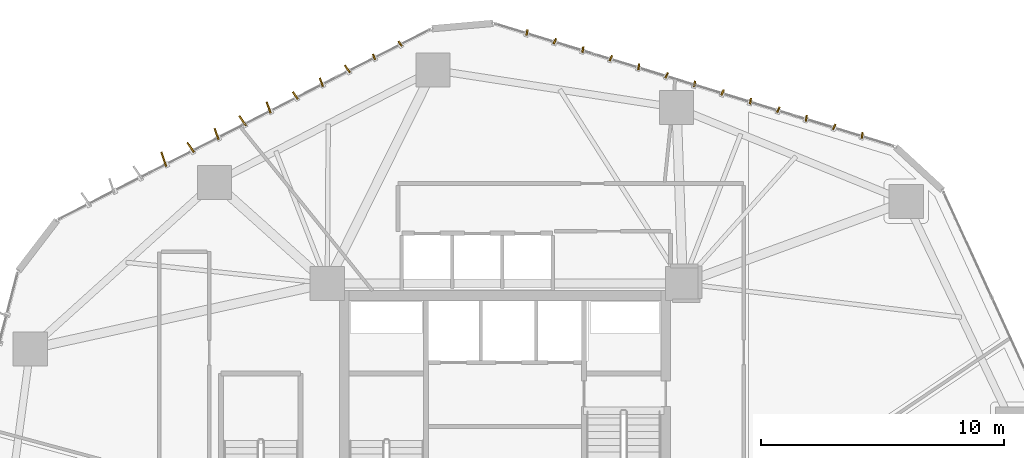
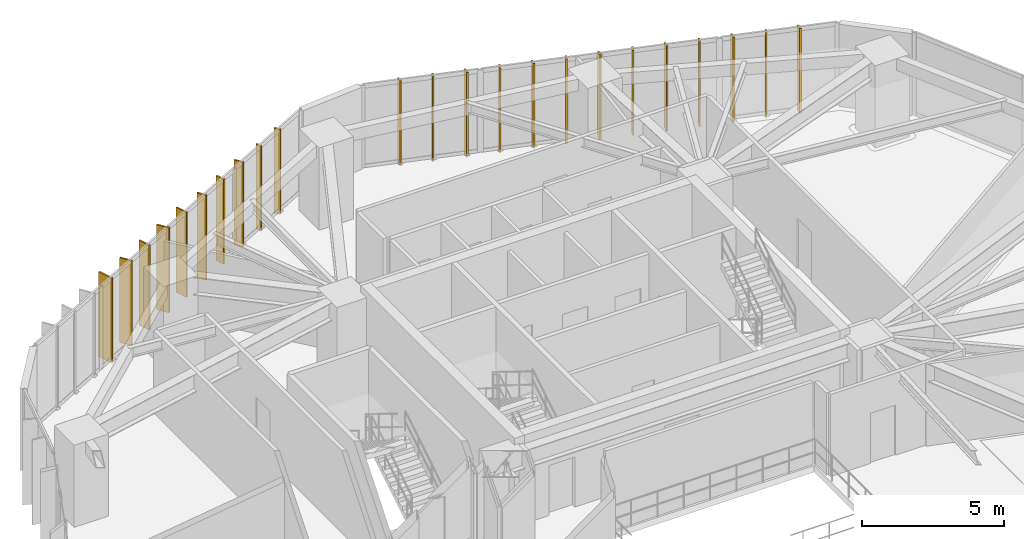
# One storey, part 24 of 24: 23 shading devices.
"""IFC4 building model written with IfcOpenShell, lengths in metres."""

from ifc_helpers import new_model, si_unit, direction, frame, origin, origin_2d, place, context, subcontext, project, spatial, rectangle, extrude, source, transform, mapped, material, layer, layer_set, type_object, type_shapes, element, save


model = new_model("IFC4")

# Units and contexts
model_context = context("Model", 3, precision=1e-05, world=origin(), true_north=direction((0.0, 1.0)))
body_context = subcontext(model_context, "Body", "Model", "MODEL_VIEW")
ifc_project = project(units=[si_unit("LENGTHUNIT", "METRE"), si_unit("AREAUNIT", "SQUARE_METRE"), si_unit("VOLUMEUNIT", "CUBIC_METRE"), si_unit("PLANEANGLEUNIT", "RADIAN"), si_unit("MASSUNIT", "GRAM", prefix="KILO")], contexts=[model_context])

# Site, building, storey
site_placement = place(None, origin())
site = spatial("IfcSite", under=ifc_project, at=site_placement, CompositionType="ELEMENT")
building_placement = place(site_placement, origin())
building = spatial("IfcBuilding", under=site, at=building_placement, Name="Talar Marvaseh", CompositionType="ELEMENT")
storey_placement = place(building_placement, frame((0.0, 0.0, 39.199951171875)))
storey = spatial("IfcBuildingStorey", under=building, at=storey_placement, Name="L09", CompositionType="ELEMENT", Elevation=39.199951171875)

# Shading devices
ifc_material = material(Name="Anodised Champagne Bronze Aluminium", Category="aluminium")
ifc_layer_1 = layer(ifc_material, 0.06494140625)
ifc_layer_set_1 = layer_set([ifc_layer_1], Name="Anodised Champagne Bronze Aluminium")
shading_device_type_1 = type_object("IfcShadingDeviceType", Name="Sawtooth Champagne Bronze Vertical Fin 240", PredefinedType="USERDEFINED", material=ifc_layer_set_1)
shared_shape_1 = source(origin(), body_context, "Body", "SweptSolid", [
    extrude(rectangle(XDim=0.239990234375, YDim=0.06494140625, at=origin_2d()), origin(), (0.0, 0.0, 1.0), 3.639892578125),
])
type_shapes(shading_device_type_1, [shared_shape_1])
for number, where, z_axis, x_axis, name in (
    (1, (20.620361328125, 46.203857421875, -0.1201171875), (0.0, 0.0, 1.0), (-0.326723080054, 0.945120113509, 0.0), "L09 Sawtooth Vertical Solar Fin"),
    (2, (21.68896484375, 46.75, -0.1201171875), (0.0, 0.0, 1.0), (-0.574576791052, 0.818450677307, 0.0), "L09 Sawtooth Vertical Solar Fin"),
    (3, (26.90283203125, 47.2060546875, -0.1201171875), (0.0, 0.0, 1.0), (0.157641036938, 0.987496482765, 0.0), "L09 Sawtooth Vertical Solar Fin"),
    (4, (28.050048828125, 46.85400390625, -0.1201171875), (0.0, 0.0, 1.0), (0.423725209904, 0.905790785166, 0.0), "L09 Sawtooth Vertical Solar Fin"),
    (5, (29.197265625, 46.501708984375, -0.1201171875), (0.0, 0.0, 1.0), (0.157641036938, 0.987496482765, 0.0), "L09 Sawtooth Vertical Solar Fin"),
    (6, (30.34423828125, 46.1494140625, -0.1201171875), (0.0, 0.0, 1.0), (0.423725209904, 0.905790785166, 0.0), "L09 Sawtooth Vertical Solar Fin"),
    (7, (31.491455078125, 45.797119140625, -0.1201171875), (0.0, 0.0, 1.0), (0.157641036938, 0.987496482765, 0.0), "L09 Sawtooth Vertical Solar Fin"),
    (8, (32.638671875, 45.445068359375, -0.1201171875), (0.0, 0.0, 1.0), (0.423725209904, 0.905790785166, 0.0), "L09 Sawtooth Vertical Solar Fin"),
    (9, (33.785888671875, 45.0927734375, -0.1201171875), (0.0, 0.0, 1.0), (0.157641036938, 0.987496482765, 0.0), "L09 Sawtooth Vertical Solar Fin"),
    (10, (34.932861328125, 44.740478515625, -0.1201171875), (0.0, 0.0, 1.0), (0.423725209904, 0.905790785166, 0.0), "L09 Sawtooth Vertical Solar Fin"),
    (11, (36.080078125, 44.388427734375, -0.1201171875), (0.0, 0.0, 1.0), (0.157641036938, 0.987496482765, 0.0), "L09 Sawtooth Vertical Solar Fin"),
    (12, (37.227294921875, 44.0361328125, -0.1201171875), (0.0, 0.0, 1.0), (0.423725209904, 0.905790785166, 0.0), "L09 Sawtooth Vertical Solar Fin"),
    (13, (38.37451171875, 43.68408203125, -0.1201171875), (0.0, 0.0, 1.0), (0.157641036938, 0.987496482765, 0.0), "L09 Sawtooth Vertical Solar Fin"),
    (14, (39.521484375, 43.331787109375, -0.1201171875), (0.0, 0.0, 1.0), (0.423725209904, 0.905790785166, 0.0), "L09 Sawtooth Vertical Solar Fin"),
    (15, (40.668701171875, 42.9794921875, -0.1201171875), (0.0, 0.0, 1.0), (0.157641036938, 0.987496482765, 0.0), "L09 Sawtooth Vertical Solar Fin"),
):
    element("IfcShadingDevice", number, at=place(storey_placement, frame(where, z_axis=z_axis, x_axis=x_axis)), inside=storey, type_object=shading_device_type_1, Name=name, ObjectType="FIN", PredefinedType="USERDEFINED", context=body_context, shape_type="MappedRepresentation", body=[
        mapped(shared_shape_1, transform((0.0, 0.0, 0.0), x_axis=(1.0, 0.0, 0.0), y_axis=(0.0, 1.0, 0.0), z_axis=(0.0, 0.0, 1.0), scale=1.0)),
    ])
ifc_layer_2 = layer(ifc_material, 0.06494140625)
ifc_layer_set_2 = layer_set([ifc_layer_2], Name="Anodised Champagne Bronze Aluminium")
shading_device_type_2 = type_object("IfcShadingDeviceType", Name="Sawtooth Champagne Bronze Vertical Fin 360", PredefinedType="USERDEFINED", material=ifc_layer_set_2)
shared_shape_2 = source(origin(), body_context, "Body", "SweptSolid", [
    extrude(rectangle(XDim=0.360107421875, YDim=0.06494140625, at=origin_2d()), origin(), (0.0, 0.0, 1.0), 3.639892578125),
])
type_shapes(shading_device_type_2, [shared_shape_2])
for number, where, z_axis, x_axis, name in (
    (16, (17.38720703125, 44.619140625, -0.1201171875), (0.0, 0.0, 1.0), (-0.574576791052, 0.818450677307, 0.0), "L09 Sawtooth Vertical Solar Fin"),
    (17, (18.455810546875, 45.165283203125, -0.1201171875), (0.0, 0.0, 1.0), (-0.326723080054, 0.945120113509, 0.0), "L09 Sawtooth Vertical Solar Fin"),
    (18, (19.5244140625, 45.711181640625, -0.1201171875), (0.0, 0.0, 1.0), (-0.574576791052, 0.818450677307, 0.0), "L09 Sawtooth Vertical Solar Fin"),
):
    element("IfcShadingDevice", number, at=place(storey_placement, frame(where, z_axis=z_axis, x_axis=x_axis)), inside=storey, type_object=shading_device_type_2, Name=name, ObjectType="FIN", PredefinedType="USERDEFINED", context=body_context, shape_type="MappedRepresentation", body=[
        mapped(shared_shape_2, transform((0.0, 0.0, 0.0), x_axis=(1.0, 0.0, 0.0), y_axis=(0.0, 1.0, 0.0), z_axis=(0.0, 0.0, 1.0), scale=1.0)),
    ])
ifc_layer_3 = layer(ifc_material, 0.06494140625)
ifc_layer_set_3 = layer_set([ifc_layer_3], Name="Anodised Champagne Bronze Aluminium")
shading_device_type_3 = type_object("IfcShadingDeviceType", Name="Sawtooth Champagne Bronze Vertical Fin 480", PredefinedType="USERDEFINED", material=ifc_layer_set_3)
shared_shape_3 = source(origin(), body_context, "Body", "SweptSolid", [
    extrude(rectangle(XDim=0.47998046875, YDim=0.06494140625, at=origin_2d()), origin(), (0.0, 0.0, 1.0), 3.639892578125),
])
type_shapes(shading_device_type_3, [shared_shape_3])
for number, where, z_axis, x_axis, name in (
    (19, (13.085693359375, 42.48828125, -0.1201171875), (0.0, 0.0, 1.0), (-0.574576791052, 0.818450677307, 0.0), "L09 Sawtooth Vertical Solar Fin"),
    (20, (14.154296875, 43.034423828125, -0.1201171875), (0.0, 0.0, 1.0), (-0.326723080054, 0.945120113509, 0.0), "L09 Sawtooth Vertical Solar Fin"),
    (21, (15.222900390625, 43.58056640625, -0.1201171875), (0.0, 0.0, 1.0), (-0.574576791052, 0.818450677307, 0.0), "L09 Sawtooth Vertical Solar Fin"),
    (22, (16.29150390625, 44.12646484375, -0.1201171875), (0.0, 0.0, 1.0), (-0.326723080054, 0.945120113509, 0.0), "L09 Sawtooth Vertical Solar Fin"),
):
    element("IfcShadingDevice", number, at=place(storey_placement, frame(where, z_axis=z_axis, x_axis=x_axis)), inside=storey, type_object=shading_device_type_3, Name=name, ObjectType="FIN", PredefinedType="USERDEFINED", context=body_context, shape_type="MappedRepresentation", body=[
        mapped(shared_shape_3, transform((0.0, 0.0, 0.0), x_axis=(1.0, 0.0, 0.0), y_axis=(0.0, 1.0, 0.0), z_axis=(0.0, 0.0, 1.0), scale=1.0)),
    ])
ifc_layer_4 = layer(ifc_material, 0.06494140625)
ifc_layer_set_4 = layer_set([ifc_layer_4], Name="Anodised Champagne Bronze Aluminium")
shading_device_type_4 = type_object("IfcShadingDeviceType", Name="Sawtooth Champagne Bronze Vertical Fin 620", PredefinedType="USERDEFINED", material=ifc_layer_set_4)
shared_shape_4 = source(origin(), body_context, "Body", "SweptSolid", [
    extrude(rectangle(XDim=0.6201171875, YDim=0.06494140625, at=origin_2d()), origin(), (0.0, 0.0, 1.0), 3.639892578125),
])
type_shapes(shading_device_type_4, [shared_shape_4])
shading_device_placement = place(storey_placement, frame((11.9853515625, 42.004638671875, -0.1201171875), z_axis=(0.0, 0.0, 1.0), x_axis=(-0.326723080054, 0.945120113509, 0.0)))
element("IfcShadingDevice", 23, at=shading_device_placement, inside=storey, type_object=shading_device_type_4, Name="L09 Sawtooth Vertical Solar Fin", ObjectType="FIN", PredefinedType="USERDEFINED", context=body_context, shape_type="MappedRepresentation", body=[
    mapped(shared_shape_4, transform((0.0, 0.0, 0.0), x_axis=(1.0, 0.0, 0.0), y_axis=(0.0, 1.0, 0.0), z_axis=(0.0, 0.0, 1.0), scale=1.0)),
])

save(model, "model.ifc")
